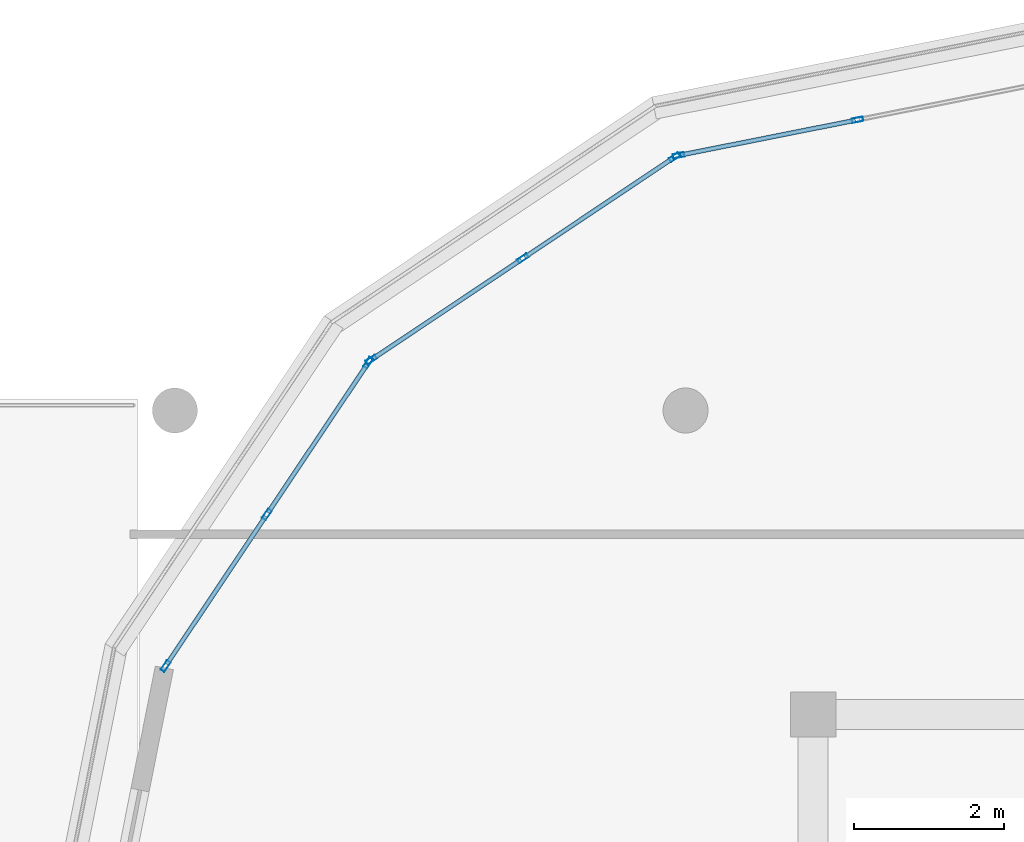
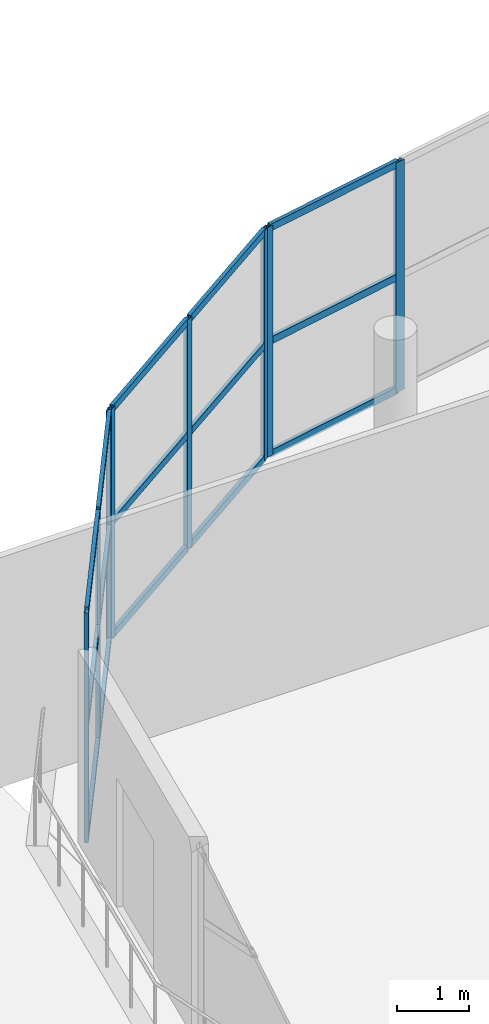
# One storey, part 7 of 56: 23 members, 3 elements without a shape of their own.
"""IFC4 building model written with IfcOpenShell, lengths in metres."""

import ifcopenshell
import ifcopenshell.guid

model = None  # the IFC model being written
_history = None  # IfcOwnerHistory: only IFC2X3 demands one
_inside = {}  # id of a spatial element -> (the spatial element, [elements in it])
_under = {}  # id of a project, library or spatial element -> (it, [spatial elements below it])
_declared = {}  # id of a project -> (the project, [libraries it declares])
_typed = {}  # id of a type object -> (the type object, [elements of that type])
_made_of = {}  # id of a material, layer set ... -> (it, [elements and type objects made of it])


def new_model(schema):
    """Start an empty IFC model of exactly this schema.

    Asked for "IFC4X3", IfcOpenShell would pick the latest addendum, in which some entities
    have other attributes; the version numbers below select the first issue.
    IFC2X3 requires an IfcOwnerHistory on every rooted entity: one is made here for all.
    """
    global model, _history
    if schema == "IFC4X3":
        model = ifcopenshell.file(schema_version=(4, 3, 0, 0))
    else:
        model = ifcopenshell.file(schema=schema)
    _inside.clear()
    _under.clear()
    _declared.clear()
    _typed.clear()
    _made_of.clear()
    _history = None
    if model.schema == "IFC2X3":
        org = make("IfcOrganization", Name="unknown")
        user = make(
            "IfcPersonAndOrganization",
            ThePerson=make("IfcPerson", FamilyName="unknown"),
            TheOrganization=org,
        )
        app = make(
            "IfcApplication",
            ApplicationDeveloper=org,
            Version="unknown",
            ApplicationFullName="unknown",
            ApplicationIdentifier="unknown",
        )
        _history = make(
            "IfcOwnerHistory",
            OwningUser=user,
            OwningApplication=app,
            ChangeAction="ADDED",
            CreationDate=0,
        )
    return model


def make(cls, **values):
    """One entity of the class cls with the attributes given. An attribute that is None is left unset."""
    return model.create_entity(
        cls, **{name: value for name, value in values.items() if value is not None}
    )


def rooted(cls, **values):
    """An entity with a GlobalId (a new one), such as an element, a storey or a relation."""
    return make(cls, GlobalId=ifcopenshell.guid.new(), OwnerHistory=_history, **values)


def si_unit(unit_type, name, prefix=None):
    """IfcSIUnit, for example si_unit("LENGTHUNIT", "METRE", prefix="MILLI")."""
    return make("IfcSIUnit", UnitType=unit_type, Prefix=prefix, Name=name)


def assignment(units):
    """IfcUnitAssignment: the units of a project."""
    return None if units is None else make("IfcUnitAssignment", Units=units)


def point(xyz):
    """IfcCartesianPoint."""
    return None if xyz is None else make("IfcCartesianPoint", Coordinates=xyz)


def direction(xyz):
    """IfcDirection."""
    return None if xyz is None else make("IfcDirection", DirectionRatios=xyz)


def frame(location, z_axis=None, x_axis=None):
    """IfcAxis2Placement3D, a coordinate frame: its origin and axes. An axis left out is left unset."""
    return make(
        "IfcAxis2Placement3D",
        Location=point(location),
        Axis=direction(z_axis),
        RefDirection=direction(x_axis),
    )


def frame_2d(location, x_axis=None):
    """IfcAxis2Placement2D, a coordinate frame in the plane: its origin and x axis."""
    return make(
        "IfcAxis2Placement2D", Location=point(location), RefDirection=direction(x_axis)
    )


def origin():
    """The frame at (0, 0, 0) with its axes left unset."""
    return frame((0.0, 0.0, 0.0))


def origin_2d():
    """The frame at (0, 0) in the plane with its x axis left unset."""
    return frame_2d((0.0, 0.0))


def place(relative_to, where):
    """IfcLocalPlacement: puts the frame where relative to a parent placement (None: the world)."""
    return make(
        "IfcLocalPlacement", PlacementRelTo=relative_to, RelativePlacement=where
    )


def context(
    kind, dimensions, precision=None, world=None, true_north=None, identifier=None
):
    """IfcGeometricRepresentationContext, for example the 3D "Model" context."""
    return make(
        "IfcGeometricRepresentationContext",
        ContextIdentifier=identifier,
        ContextType=kind,
        CoordinateSpaceDimension=dimensions,
        Precision=precision,
        WorldCoordinateSystem=world,
        TrueNorth=true_north,
    )


def subcontext(parent, identifier, kind, view, scale=None):
    """IfcGeometricRepresentationSubContext, for example "Body" below "Model"."""
    return make(
        "IfcGeometricRepresentationSubContext",
        ContextIdentifier=identifier,
        ContextType=kind,
        ParentContext=parent,
        TargetScale=scale,
        TargetView=view,
    )


def project(units=None, contexts=None):
    """IfcProject with its units and contexts."""
    return rooted(
        "IfcProject",
        Name="project",
        RepresentationContexts=contexts,
        UnitsInContext=assignment(units),
    )


def spatial(cls, under=None, at=None, **own):
    """A site, building, storey or space (cls), placed at a placement, below another one or the project."""
    s = rooted(cls, ObjectPlacement=at, **own)
    if under is not None:
        _under.setdefault(under.id(), (under, []))[1].append(s)
    return s


def profile(cls, at=None, kind="AREA", **sizes):
    """A parametric profile (cls). Its sizes go by their IFC names, for example OverallWidth=200.0."""
    return make(cls, ProfileType=kind, Position=at, **sizes)


def hollow_rectangle(**sizes):
    """IfcRectangleHollowProfileDef."""
    return profile("IfcRectangleHollowProfileDef", **sizes)


def extrude(swept, where, along, depth):
    """IfcExtrudedAreaSolid: the profile swept, set in the frame where, extruded along a direction by depth."""
    return make(
        "IfcExtrudedAreaSolid",
        SweptArea=swept,
        Position=where,
        ExtrudedDirection=direction(along),
        Depth=depth,
    )


def shape(context_of_items, identifier, shape_type, items):
    """IfcShapeRepresentation: the items that make up one representation, for example the "Body"."""
    return make(
        "IfcShapeRepresentation",
        ContextOfItems=context_of_items,
        RepresentationIdentifier=identifier,
        RepresentationType=shape_type,
        Items=items,
    )


def material(Name=None, Category=None):
    """IfcMaterial."""
    return make("IfcMaterial", Name=Name, Category=Category)


def layer(
    of_material, thickness, ventilated=None, Name=None, Category=None, Priority=None
):
    """IfcMaterialLayer: one layer of a wall or slab, of a material (None: an air gap)."""
    return make(
        "IfcMaterialLayer",
        Material=of_material,
        LayerThickness=thickness,
        IsVentilated=ventilated,
        Name=Name,
        Category=Category,
        Priority=Priority,
    )


def layer_set(layers, Name=None):
    """IfcMaterialLayerSet."""
    return make("IfcMaterialLayerSet", MaterialLayers=layers, LayerSetName=Name)


def material_profile(
    of_material, cross_section, Name=None, Category=None, Priority=None
):
    """IfcMaterialProfile: a cross section and its material."""
    return make(
        "IfcMaterialProfile",
        Name=Name,
        Material=of_material,
        Profile=cross_section,
        Priority=Priority,
        Category=Category,
    )


def profile_set(profiles, Name=None, composite=None):
    """IfcMaterialProfileSet."""
    return make(
        "IfcMaterialProfileSet",
        Name=Name,
        MaterialProfiles=profiles,
        CompositeProfile=composite,
    )


def made_of(thing, what):
    """Note that an element or type object is made of a material, layer set ...; save() writes the relation."""
    if what is not None:
        _made_of.setdefault(what.id(), (what, []))[1].append(thing)
    return thing


def type_object(cls, material=None, **own):
    """A type object (cls), such as IfcWallType, which elements share."""
    return made_of(rooted(cls, **own), material)


def element(
    cls,
    number,
    at=None,
    inside=None,
    cuts=None,
    type_object=None,
    material=None,
    context=None,
    identifier="Body",
    shape_type=None,
    held_by="IfcProductDefinitionShape",
    body=None,
    shapes=None,
    **own,
):
    """One element of the class cls, such as IfcWall. Its Tag is "e" and its number.

    at: its placement. inside: the storey or other place that contains it. cuts: it is an
    opening in that element (IfcRelVoidsElement). A single representation is given by context,
    identifier, shape_type and body (its items); several are given by shapes. held_by: the class
    of the entity that holds the representations. save() writes the other relations.
    """
    e = rooted(cls, Tag="e%d" % number, ObjectPlacement=at, **own)
    if body is not None:
        shapes = [shape(context, identifier, shape_type, body)]
    if shapes is not None:
        e.Representation = make(held_by, Representations=shapes)
    if inside is not None:
        _inside.setdefault(inside.id(), (inside, []))[1].append(e)
    if cuts is not None:
        rooted(
            "IfcRelVoidsElement", RelatingBuildingElement=cuts, RelatedOpeningElement=e
        )
    if type_object is not None:
        _typed.setdefault(type_object.id(), (type_object, []))[1].append(e)
    return made_of(e, material)


def aggregate(whole, parts):
    """IfcRelAggregates: a whole, such as a stair, and the parts it consists of."""
    return rooted("IfcRelAggregates", RelatingObject=whole, RelatedObjects=parts)


def save(model, path):
    """Write the relations noted so far, then the file.

    IfcRelAggregates (storeys below a building ...), IfcRelContainedInSpatialStructure (elements
    in a storey), IfcRelDefinesByType, IfcRelAssociatesMaterial and IfcRelDeclares: one each for
    every whole, place, type object, material and project.
    """
    for whole, parts in _under.values():
        aggregate(whole, parts)
    for where, things in _inside.values():
        rooted(
            "IfcRelContainedInSpatialStructure",
            RelatedElements=things,
            RelatingStructure=where,
        )
    for kind, things in _typed.values():
        rooted("IfcRelDefinesByType", RelatedObjects=things, RelatingType=kind)
    for what, things in _made_of.values():
        rooted("IfcRelAssociatesMaterial", RelatedObjects=things, RelatingMaterial=what)
    for by, libraries in _declared.values():
        rooted("IfcRelDeclares", RelatingContext=by, RelatedDefinitions=libraries)
    model.write(path)


model = new_model("IFC4")

# Units and contexts
model_context = context("Model", 3, precision=1e-05, world=origin(), true_north=direction((0.0, 1.0)))
body_context = subcontext(model_context, "Body", "Model", "MODEL_VIEW")
ifc_project = project(units=[si_unit("LENGTHUNIT", "METRE"), si_unit("AREAUNIT", "SQUARE_METRE"), si_unit("VOLUMEUNIT", "CUBIC_METRE"), si_unit("PLANEANGLEUNIT", "RADIAN"), si_unit("MASSUNIT", "GRAM", prefix="KILO")], contexts=[model_context])

# Site, building, storey
site_placement = place(None, origin())
site = spatial("IfcSite", under=ifc_project, at=site_placement, CompositionType="ELEMENT")
building_placement = place(site_placement, origin())
building = spatial("IfcBuilding", under=site, at=building_placement, Name="Zizhar Promenade General Hospital", CompositionType="ELEMENT")
storey_placement = place(building_placement, frame((0.0, 0.0, 26.39990234375)))
storey = spatial("IfcBuildingStorey", under=building, at=storey_placement, Name="L06", CompositionType="ELEMENT", Elevation=26.39990234375)

# Curtain wall, members
ifc_material_1 = material(Name="Anodised aluminium 6063-T6 and low-E glass", Category="aluminium")
ifc_layer = layer(ifc_material_1, 0.159912109375)
ifc_layer_set = layer_set([ifc_layer], Name="Anodised aluminium 6063-T6 and low-E glass")
curtain_wall_type = type_object("IfcCurtainWallType", Name="CW-WARD-ARC", PredefinedType="NOTDEFINED", material=ifc_layer_set)
curtain_wall_1_placement = place(storey_placement, origin())
curtain_wall_1 = element("IfcCurtainWall", 1, at=curtain_wall_1_placement, inside=storey, type_object=curtain_wall_type, Name="Ward Semicircular End Glazing L06-10", PredefinedType="NOTDEFINED")
ifc_material_2 = material(Name="Anodised aluminium 6063-T6", Category="aluminium")
ifc_material_profile_1 = material_profile(ifc_material_2, hollow_rectangle(XDim=0.06005859375, YDim=0.14990234375, WallThickness=0.00390625, at=origin_2d()))
ifc_profile_set_1 = profile_set([ifc_material_profile_1], Name="Anodised aluminium 6063-T6")
member_type_1 = type_object("IfcMemberType", Name="CWM-ALU-150x60", PredefinedType="MULLION", material=ifc_profile_set_1)
member_1_placement = place(storey_placement, frame((29.40771484375, 24.246826171875, 0.0), z_axis=(0.0, 0.0, 1.0), x_axis=(-0.195087259275, 0.980785889615, 0.0)))
member_1 = element("IfcMember", 2, at=member_1_placement, type_object=member_type_1, Name="CW-12 mullion 1", PredefinedType="MULLION", context=body_context, shape_type="SweptSolid", body=[
    extrude(hollow_rectangle(XDim=0.06005859375, YDim=0.14990234375, WallThickness=0.00390625, at=origin_2d()), origin(), (0.0, 0.0, 1.0), 3.900146484375),
])
member_2_placement = place(storey_placement, frame((31.7890625, 24.720458984375, 0.0), z_axis=(0.0, 0.0, 1.0), x_axis=(-0.195087259275, 0.980785889615, 0.0)))
member_2 = element("IfcMember", 3, at=member_2_placement, type_object=member_type_1, Name="CW-12 mullion 2", PredefinedType="MULLION", context=body_context, shape_type="SweptSolid", body=[
    extrude(hollow_rectangle(XDim=0.06005859375, YDim=0.14990234375, WallThickness=0.00390625, at=origin_2d()), origin(), (0.0, 0.0, 1.0), 3.900146484375),
])

curtain_wall_2_placement = place(storey_placement, origin())
curtain_wall_2 = element("IfcCurtainWall", 4, at=curtain_wall_2_placement, inside=storey, type_object=curtain_wall_type, Name="Ward Semicircular End Glazing L06-11", PredefinedType="NOTDEFINED")
member_3_placement = place(storey_placement, frame((25.3154296875, 21.526123046875, 0.0), z_axis=(0.0, 0.0, 1.0), x_axis=(-0.555582352095, 0.831461514468, 0.0)))
member_3 = element("IfcMember", 5, at=member_3_placement, type_object=member_type_1, Name="CW-12 mullion 1", PredefinedType="MULLION", context=body_context, shape_type="SweptSolid", body=[
    extrude(hollow_rectangle(XDim=0.06005859375, YDim=0.14990234375, WallThickness=0.00390625, at=origin_2d()), origin(), (0.0, 0.0, 1.0), 3.900146484375),
])
member_4_placement = place(storey_placement, frame((27.334228515625, 22.875244140625, 0.0), z_axis=(0.0, 0.0, 1.0), x_axis=(-0.555582352095, 0.831461514468, 0.0)))
member_4 = element("IfcMember", 6, at=member_4_placement, type_object=member_type_1, Name="CW-12 mullion 2", PredefinedType="MULLION", context=body_context, shape_type="SweptSolid", body=[
    extrude(hollow_rectangle(XDim=0.06005859375, YDim=0.14990234375, WallThickness=0.00390625, at=origin_2d()), origin(), (0.0, 0.0, 1.0), 3.900146484375),
])
member_5_placement = place(storey_placement, frame((29.353271484375, 24.22412109375, 0.0), z_axis=(0.0, 0.0, 1.0), x_axis=(-0.555582352095, 0.831461514468, 0.0)))
member_5 = element("IfcMember", 7, at=member_5_placement, type_object=member_type_1, Name="CW-12 mullion 3", PredefinedType="MULLION", context=body_context, shape_type="SweptSolid", body=[
    extrude(hollow_rectangle(XDim=0.06005859375, YDim=0.14990234375, WallThickness=0.00390625, at=origin_2d()), origin(), (0.0, 0.0, 1.0), 3.900146484375),
])

curtain_wall_3_placement = place(storey_placement, origin())
curtain_wall_3 = element("IfcCurtainWall", 8, at=curtain_wall_3_placement, inside=storey, type_object=curtain_wall_type, Name="Ward Semicircular End Glazing L06-12", PredefinedType="NOTDEFINED")
member_6_placement = place(storey_placement, frame((22.57568359375, 17.44677734375, 0.0), z_axis=(0.0, 0.0, 1.0), x_axis=(-0.831461514468, 0.555582352095, 0.0)))
member_6 = element("IfcMember", 9, at=member_6_placement, type_object=member_type_1, Name="CW-12 mullion 1", PredefinedType="MULLION", context=body_context, shape_type="SweptSolid", body=[
    extrude(hollow_rectangle(XDim=0.06005859375, YDim=0.14990234375, WallThickness=0.00390625, at=origin_2d()), origin(), (0.0, 0.0, 1.0), 3.900146484375),
])
member_7_placement = place(storey_placement, frame((23.9248046875, 19.465576171875, 0.0), z_axis=(0.0, 0.0, 1.0), x_axis=(-0.831461514468, 0.555582352095, 0.0)))
member_7 = element("IfcMember", 10, at=member_7_placement, type_object=member_type_1, Name="CW-12 mullion 2", PredefinedType="MULLION", context=body_context, shape_type="SweptSolid", body=[
    extrude(hollow_rectangle(XDim=0.06005859375, YDim=0.14990234375, WallThickness=0.00390625, at=origin_2d()), origin(), (0.0, 0.0, 1.0), 3.900146484375),
])
member_8_placement = place(storey_placement, frame((25.27392578125, 21.484619140625, 0.0), z_axis=(0.0, 0.0, 1.0), x_axis=(-0.831461514468, 0.555582352095, 0.0)))
member_8 = element("IfcMember", 11, at=member_8_placement, type_object=member_type_1, Name="CW-12 mullion 3", PredefinedType="MULLION", context=body_context, shape_type="SweptSolid", body=[
    extrude(hollow_rectangle(XDim=0.06005859375, YDim=0.14990234375, WallThickness=0.00390625, at=origin_2d()), origin(), (0.0, 0.0, 1.0), 3.900146484375),
])

# Member
ifc_material_3 = material(Name="Anodised aluminium 6063-T6", Category="aluminium")
ifc_material_profile_2 = material_profile(ifc_material_3, hollow_rectangle(XDim=0.06005859375, YDim=0.1201171875, WallThickness=0.00390625, at=origin_2d()))
ifc_profile_set_2 = profile_set([ifc_material_profile_2], Name="Anodised aluminium 6063-T6")
member_type_2 = type_object("IfcMemberType", Name="CWT-ALU-120x60", PredefinedType="USERDEFINED", material=ifc_profile_set_2)
member_9_placement = place(storey_placement, frame((29.43701171875, 24.252685546875, 0.030029296875), z_axis=(0.980794200422, 0.195045472693, 0.0), x_axis=(-0.195045472693, 0.980794200422, 0.0)))
member_9 = element("IfcMember", 12, at=member_9_placement, type_object=member_type_2, Name="CW-12 transom 1.1", ObjectType="TRANSOM", PredefinedType="USERDEFINED", context=body_context, shape_type="SweptSolid", body=[
    extrude(hollow_rectangle(XDim=0.06005859375, YDim=0.1201171875, WallThickness=0.00390625, at=origin_2d()), origin(), (0.0, 0.0, 1.0), 2.3681640625),
])

member_10_placement = place(storey_placement, frame((29.43701171875, 24.252685546875, 1.9501953125), z_axis=(0.980794200422, 0.195045472693, 0.0), x_axis=(-0.195045472693, 0.980794200422, 0.0)))
member_10 = element("IfcMember", 13, at=member_10_placement, type_object=member_type_2, Name="CW-12 transom 1.2", ObjectType="TRANSOM", PredefinedType="USERDEFINED", context=body_context, shape_type="SweptSolid", body=[
    extrude(hollow_rectangle(XDim=0.06005859375, YDim=0.1201171875, WallThickness=0.00390625, at=origin_2d()), origin(), (0.0, 0.0, 1.0), 2.3681640625),
])

member_11_placement = place(storey_placement, frame((29.43701171875, 24.252685546875, 3.8701171875), z_axis=(0.980794200422, 0.195045472693, 0.0), x_axis=(-0.195045472693, 0.980794200422, 0.0)))
member_11 = element("IfcMember", 14, at=member_11_placement, type_object=member_type_2, Name="CW-12 transom 1.3", ObjectType="TRANSOM", PredefinedType="USERDEFINED", context=body_context, shape_type="SweptSolid", body=[
    extrude(hollow_rectangle(XDim=0.06005859375, YDim=0.1201171875, WallThickness=0.00390625, at=origin_2d()), origin(), (0.0, 0.0, 1.0), 2.3681640625),
])

aggregate(curtain_wall_1, [member_1, member_2, member_9, member_10, member_11])

member_12_placement = place(storey_placement, frame((25.34033203125, 21.542724609375, 0.030029296875), z_axis=(0.831415354375, 0.555651427164, 0.0), x_axis=(-0.555651427164, 0.831415354375, 0.0)))
member_12 = element("IfcMember", 15, at=member_12_placement, type_object=member_type_2, Name="CW-12 transom 1.1", ObjectType="TRANSOM", PredefinedType="USERDEFINED", context=body_context, shape_type="SweptSolid", body=[
    extrude(hollow_rectangle(XDim=0.06005859375, YDim=0.1201171875, WallThickness=0.00390625, at=origin_2d()), origin(), (0.0, 0.0, 1.0), 2.3681640625),
])

member_13_placement = place(storey_placement, frame((25.34033203125, 21.542724609375, 1.9501953125), z_axis=(0.831415354375, 0.555651427164, 0.0), x_axis=(-0.555651427164, 0.831415354375, 0.0)))
member_13 = element("IfcMember", 16, at=member_13_placement, type_object=member_type_2, Name="CW-12 transom 1.2", ObjectType="TRANSOM", PredefinedType="USERDEFINED", context=body_context, shape_type="SweptSolid", body=[
    extrude(hollow_rectangle(XDim=0.06005859375, YDim=0.1201171875, WallThickness=0.00390625, at=origin_2d()), origin(), (0.0, 0.0, 1.0), 2.3681640625),
])

member_14_placement = place(storey_placement, frame((25.34033203125, 21.542724609375, 3.8701171875), z_axis=(0.831415354375, 0.555651427164, 0.0), x_axis=(-0.555651427164, 0.831415354375, 0.0)))
member_14 = element("IfcMember", 17, at=member_14_placement, type_object=member_type_2, Name="CW-12 transom 1.3", ObjectType="TRANSOM", PredefinedType="USERDEFINED", context=body_context, shape_type="SweptSolid", body=[
    extrude(hollow_rectangle(XDim=0.06005859375, YDim=0.1201171875, WallThickness=0.00390625, at=origin_2d()), origin(), (0.0, 0.0, 1.0), 2.3681640625),
])

member_15_placement = place(storey_placement, frame((27.359375, 22.891845703125, 0.030029296875), z_axis=(0.831462978956, 0.555580160396, 0.0), x_axis=(-0.555580160396, 0.831462978956, 0.0)))
member_15 = element("IfcMember", 18, at=member_15_placement, type_object=member_type_2, Name="CW-12 transom 2.1", ObjectType="TRANSOM", PredefinedType="USERDEFINED", context=body_context, shape_type="SweptSolid", body=[
    extrude(hollow_rectangle(XDim=0.06005859375, YDim=0.1201171875, WallThickness=0.00390625, at=origin_2d()), origin(), (0.0, 0.0, 1.0), 2.3681640625),
])

member_16_placement = place(storey_placement, frame((27.359375, 22.891845703125, 1.9501953125), z_axis=(0.831462978956, 0.555580160396, 0.0), x_axis=(-0.555580160396, 0.831462978956, 0.0)))
member_16 = element("IfcMember", 19, at=member_16_placement, type_object=member_type_2, Name="CW-12 transom 2.2", ObjectType="TRANSOM", PredefinedType="USERDEFINED", context=body_context, shape_type="SweptSolid", body=[
    extrude(hollow_rectangle(XDim=0.06005859375, YDim=0.1201171875, WallThickness=0.00390625, at=origin_2d()), origin(), (0.0, 0.0, 1.0), 2.3681640625),
])

member_17_placement = place(storey_placement, frame((27.359375, 22.891845703125, 3.8701171875), z_axis=(0.831462978956, 0.555580160396, 0.0), x_axis=(-0.555580160396, 0.831462978956, 0.0)))
member_17 = element("IfcMember", 20, at=member_17_placement, type_object=member_type_2, Name="CW-12 transom 2.3", ObjectType="TRANSOM", PredefinedType="USERDEFINED", context=body_context, shape_type="SweptSolid", body=[
    extrude(hollow_rectangle(XDim=0.06005859375, YDim=0.1201171875, WallThickness=0.00390625, at=origin_2d()), origin(), (0.0, 0.0, 1.0), 2.3681640625),
])

aggregate(curtain_wall_2, [member_3, member_4, member_5, member_12, member_13, member_14, member_15, member_16, member_17])

member_18_placement = place(storey_placement, frame((22.592529296875, 17.4716796875, 0.030029296875), z_axis=(0.555580160396, 0.831462978956, 0.0), x_axis=(-0.831462978956, 0.555580160396, 0.0)))
member_18 = element("IfcMember", 21, at=member_18_placement, type_object=member_type_2, Name="CW-12 transom 1.1", ObjectType="TRANSOM", PredefinedType="USERDEFINED", context=body_context, shape_type="SweptSolid", body=[
    extrude(hollow_rectangle(XDim=0.06005859375, YDim=0.1201171875, WallThickness=0.00390625, at=origin_2d()), origin(), (0.0, 0.0, 1.0), 2.3681640625),
])

member_19_placement = place(storey_placement, frame((22.592529296875, 17.4716796875, 1.9501953125), z_axis=(0.555580160396, 0.831462978956, 0.0), x_axis=(-0.831462978956, 0.555580160396, 0.0)))
member_19 = element("IfcMember", 22, at=member_19_placement, type_object=member_type_2, Name="CW-12 transom 1.2", ObjectType="TRANSOM", PredefinedType="USERDEFINED", context=body_context, shape_type="SweptSolid", body=[
    extrude(hollow_rectangle(XDim=0.06005859375, YDim=0.1201171875, WallThickness=0.00390625, at=origin_2d()), origin(), (0.0, 0.0, 1.0), 2.3681640625),
])

member_20_placement = place(storey_placement, frame((22.592529296875, 17.4716796875, 3.8701171875), z_axis=(0.555580160396, 0.831462978956, 0.0), x_axis=(-0.831462978956, 0.555580160396, 0.0)))
member_20 = element("IfcMember", 23, at=member_20_placement, type_object=member_type_2, Name="CW-12 transom 1.3", ObjectType="TRANSOM", PredefinedType="USERDEFINED", context=body_context, shape_type="SweptSolid", body=[
    extrude(hollow_rectangle(XDim=0.06005859375, YDim=0.1201171875, WallThickness=0.00390625, at=origin_2d()), origin(), (0.0, 0.0, 1.0), 2.3681640625),
])

member_21_placement = place(storey_placement, frame((23.94140625, 19.490478515625, 0.030029296875), z_axis=(0.555532539312, 0.831494797197, 0.0), x_axis=(-0.831494797197, 0.555532539312, 0.0)))
member_21 = element("IfcMember", 24, at=member_21_placement, type_object=member_type_2, Name="CW-12 transom 2.1", ObjectType="TRANSOM", PredefinedType="USERDEFINED", context=body_context, shape_type="SweptSolid", body=[
    extrude(hollow_rectangle(XDim=0.06005859375, YDim=0.1201171875, WallThickness=0.00390625, at=origin_2d()), origin(), (0.0, 0.0, 1.0), 2.368408203125),
])

member_22_placement = place(storey_placement, frame((23.94140625, 19.490478515625, 1.9501953125), z_axis=(0.555532539312, 0.831494797197, 0.0), x_axis=(-0.831494797197, 0.555532539312, 0.0)))
member_22 = element("IfcMember", 25, at=member_22_placement, type_object=member_type_2, Name="CW-12 transom 2.2", ObjectType="TRANSOM", PredefinedType="USERDEFINED", context=body_context, shape_type="SweptSolid", body=[
    extrude(hollow_rectangle(XDim=0.06005859375, YDim=0.1201171875, WallThickness=0.00390625, at=origin_2d()), origin(), (0.0, 0.0, 1.0), 2.368408203125),
])

member_23_placement = place(storey_placement, frame((23.94140625, 19.490478515625, 3.8701171875), z_axis=(0.555532539312, 0.831494797197, 0.0), x_axis=(-0.831494797197, 0.555532539312, 0.0)))
member_23 = element("IfcMember", 26, at=member_23_placement, type_object=member_type_2, Name="CW-12 transom 2.3", ObjectType="TRANSOM", PredefinedType="USERDEFINED", context=body_context, shape_type="SweptSolid", body=[
    extrude(hollow_rectangle(XDim=0.06005859375, YDim=0.1201171875, WallThickness=0.00390625, at=origin_2d()), origin(), (0.0, 0.0, 1.0), 2.368408203125),
])

aggregate(curtain_wall_3, [member_6, member_7, member_8, member_18, member_19, member_20, member_21, member_22, member_23])

save(model, "model.ifc")
